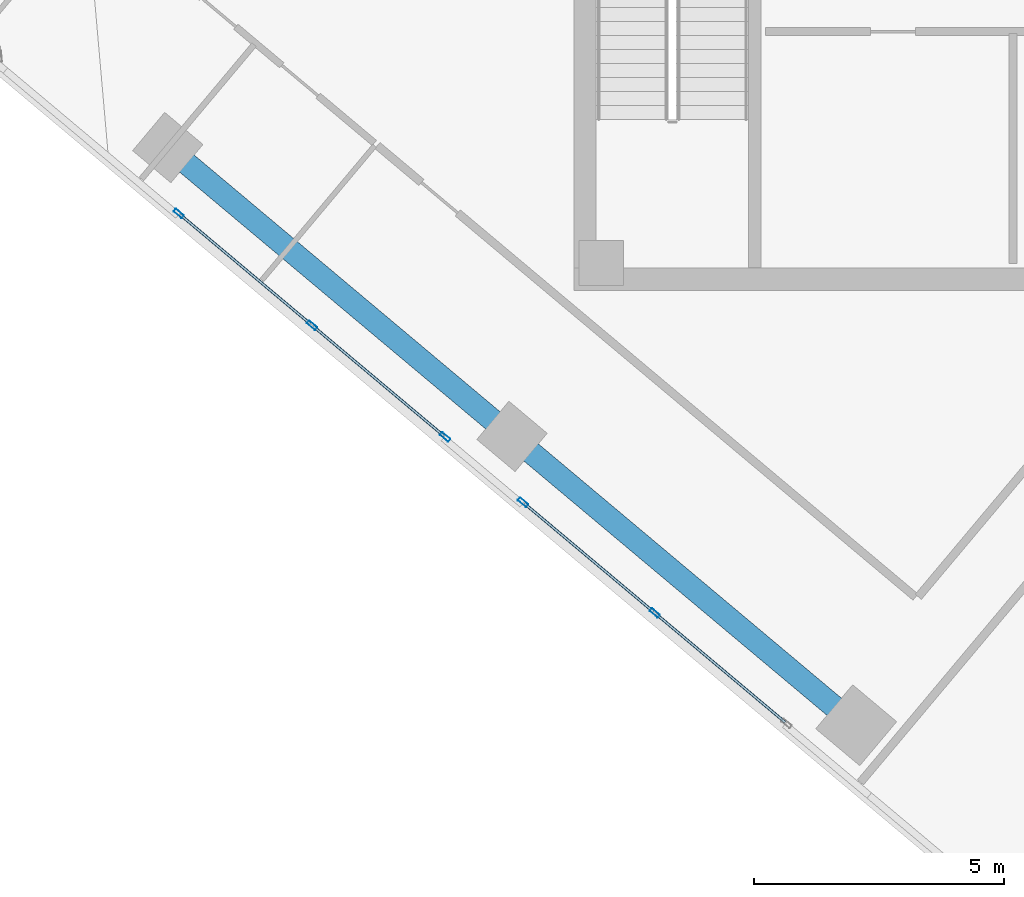
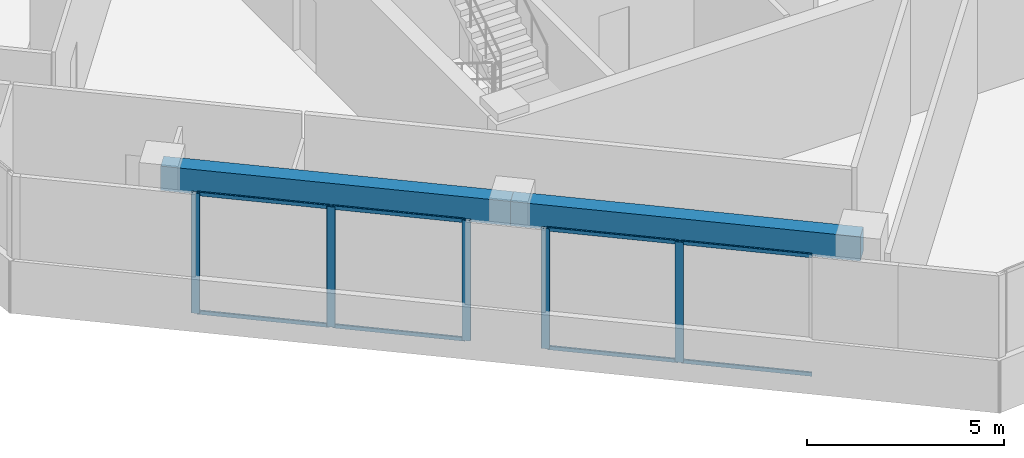
# One storey, part 2 of 17: 13 members, 2 beams, 2 elements without a shape of their own.
"""IFC4 building model written with IfcOpenShell, lengths in metres."""

from ifc_helpers import new_model, si_unit, direction, frame, origin, origin_2d, place, context, subcontext, project, spatial, rectangle, hollow_rectangle, extrude, source, transform, mapped, material, material_profile, profile_set, type_object, element, aggregate, save


model = new_model("IFC4")

# Units and contexts
model_context = context("Model", 3, precision=1e-05, world=origin(), true_north=direction((0.0, 1.0)))
body_context = subcontext(model_context, "Body", "Model", "MODEL_VIEW")
ifc_project = project(units=[si_unit("LENGTHUNIT", "METRE"), si_unit("AREAUNIT", "SQUARE_METRE"), si_unit("VOLUMEUNIT", "CUBIC_METRE"), si_unit("PLANEANGLEUNIT", "RADIAN"), si_unit("MASSUNIT", "GRAM", prefix="KILO")], contexts=[model_context])

# Site, building, storey
site_placement = place(None, origin())
site = spatial("IfcSite", under=ifc_project, at=site_placement, CompositionType="ELEMENT")
building_placement = place(site_placement, origin())
building = spatial("IfcBuilding", under=site, at=building_placement, Name="Torre Montelarca", CompositionType="ELEMENT")
storey_placement = place(building_placement, frame((0.0, 0.0, 220.60009765625)))
storey = spatial("IfcBuildingStorey", under=building, at=storey_placement, Name="L49", CompositionType="ELEMENT", Elevation=220.60009765625)

# Beams
ifc_material_1 = material(Name="Concrete C55/67", Category="concrete")
ifc_material_profile_1 = material_profile(ifc_material_1, rectangle(XDim=0.449951171875, YDim=0.75, at=origin_2d()), Name="RCB450X750", Category="concrete")
ifc_profile_set_1 = profile_set([ifc_material_profile_1], Name="Concrete C55/67")
beam_type = type_object("IfcBeamType", Name="BM-SP-RC750-EXT", PredefinedType="SPANDREL", material=ifc_profile_set_1)
shared_shape_1 = source(origin(), body_context, "Body", "SweptSolid", [
    extrude(rectangle(XDim=0.449951171875, YDim=0.75, at=origin_2d()), origin(), (0.0, 0.0, 1.0), 8.999755859375),
])
beam_1_placement = place(storey_placement, frame((7.762939453125, 21.07373046875, 3.5849609375), z_axis=(0.766048911017, -0.642782285015, 0.0), x_axis=(0.642782285015, 0.766048911017, 0.0)))
element("IfcBeam", 1, at=beam_1_placement, inside=storey, type_object=beam_type, Name="L49 Grid Girder X 18.0-27.0 at Y=14.8", PredefinedType="SPANDREL", context=body_context, shape_type="MappedRepresentation", body=[
    mapped(shared_shape_1, transform((0.0, 0.0, 0.0), scale=1.0)),
])
shared_shape_2 = source(origin(), body_context, "Body", "SweptSolid", [
    extrude(rectangle(XDim=0.449951171875, YDim=0.75, at=origin_2d()), origin(), (0.0, 0.0, 1.0), 9.000244140625),
])
beam_2_placement = place(storey_placement, frame((0.868408203125, 26.85888671875, 3.5849609375), z_axis=(0.766046761698, -0.642784846501, 0.0), x_axis=(0.642784846501, 0.766046761698, 0.0)))
element("IfcBeam", 2, at=beam_2_placement, inside=storey, type_object=beam_type, Name="L49 Grid Girder X 9.0-18.0 at Y=14.8", PredefinedType="SPANDREL", context=body_context, shape_type="MappedRepresentation", body=[
    mapped(shared_shape_2, transform((0.0, 0.0, 0.0), scale=1.0)),
])

# Curtain wall, members
ifc_material_2 = material(Name="Insulated low-E laminated glass", Category="glass")
curtain_wall_type = type_object("IfcCurtainWallType", Name="CW-SYS-Z3", PredefinedType="USERDEFINED", material=ifc_material_2)
curtain_wall_1_placement = place(storey_placement, origin())
curtain_wall_1 = element("IfcCurtainWall", 3, at=curtain_wall_1_placement, inside=storey, type_object=curtain_wall_type, Name="L49 Curtain Wall Run CW-T3-L49-E01-B1", ObjectType="UNITISED GLAZING", PredefinedType="USERDEFINED")
ifc_material_3 = material(Name="Anodised aluminium AA 6063-T6", Category="aluminium")
ifc_material_profile_2 = material_profile(ifc_material_3, hollow_rectangle(XDim=0.054931640625, YDim=0.1201171875, WallThickness=0.00341796875, InnerFilletRadius=0.00341796875, OuterFilletRadius=0.007080078125, at=origin_2d()), Name="ALU55X120X3.5", Category="aluminium")
ifc_profile_set_2 = profile_set([ifc_material_profile_2], Name="Anodised aluminium AA 6063-T6")
member_type_1 = type_object("IfcMemberType", Name="CWT-ALU120", PredefinedType="USERDEFINED", material=ifc_profile_set_2)
shared_shape_3 = source(origin(), body_context, "Body", "SweptSolid", [
    extrude(hollow_rectangle(XDim=0.054931640625, YDim=0.1201171875, WallThickness=0.00341796875, InnerFilletRadius=0.00341796875, OuterFilletRadius=0.007080078125, at=origin_2d()), origin(), (0.0, 0.0, 1.0), 3.40771484375),
])
member_1_placement = place(storey_placement, frame((1.117431640625, 25.514404296875, 0.02734375), z_axis=(0.766032210407, -0.642802187783, 0.0), x_axis=(0.642802187783, 0.766032210407, 0.0)))
member_1 = element("IfcMember", 4, at=member_1_placement, type_object=member_type_1, Name="CW transom 1.1", ObjectType="TRANSOM", PredefinedType="USERDEFINED", context=body_context, shape_type="MappedRepresentation", body=[
    mapped(shared_shape_3, transform((0.0, 0.0, 0.0), scale=1.0)),
])
member_2_placement = place(storey_placement, frame((1.117431640625, 25.514404296875, 3.6923828125), z_axis=(0.766032210407, -0.642802187783, 0.0), x_axis=(0.642802187783, 0.766032210407, 0.0)))
member_2 = element("IfcMember", 5, at=member_2_placement, type_object=member_type_1, Name="CW transom 1.2", ObjectType="TRANSOM", PredefinedType="USERDEFINED", context=body_context, shape_type="MappedRepresentation", body=[
    mapped(shared_shape_3, transform((0.0, 0.0, 0.0), scale=1.0)),
])
member_3_placement = place(storey_placement, frame((3.78515625, 23.27587890625, 0.02734375), z_axis=(0.766032210407, -0.642802187783, 0.0), x_axis=(0.642802187783, 0.766032210407, 0.0)))
member_3 = element("IfcMember", 6, at=member_3_placement, type_object=member_type_1, Name="CW transom 2.1", ObjectType="TRANSOM", PredefinedType="USERDEFINED", context=body_context, shape_type="MappedRepresentation", body=[
    mapped(shared_shape_3, transform((0.0, 0.0, 0.0), scale=1.0)),
])
member_4_placement = place(storey_placement, frame((3.78515625, 23.27587890625, 3.6923828125), z_axis=(0.766032210407, -0.642802187783, 0.0), x_axis=(0.642802187783, 0.766032210407, 0.0)))
member_4 = element("IfcMember", 7, at=member_4_placement, type_object=member_type_1, Name="CW transom 2.2", ObjectType="TRANSOM", PredefinedType="USERDEFINED", context=body_context, shape_type="MappedRepresentation", body=[
    mapped(shared_shape_3, transform((0.0, 0.0, 0.0), scale=1.0)),
])

curtain_wall_2_placement = place(storey_placement, origin())
curtain_wall_2 = element("IfcCurtainWall", 8, at=curtain_wall_2_placement, inside=storey, type_object=curtain_wall_type, Name="L49 Curtain Wall Run CW-T3-L49-E01-B2", ObjectType="UNITISED GLAZING", PredefinedType="USERDEFINED")
shared_shape_4 = source(origin(), body_context, "Body", "SweptSolid", [
    extrude(hollow_rectangle(XDim=0.054931640625, YDim=0.1201171875, WallThickness=0.00341796875, InnerFilletRadius=0.00341796875, OuterFilletRadius=0.007080078125, at=origin_2d()), origin(), (0.0, 0.0, 1.0), 3.3701171875),
])
member_5_placement = place(storey_placement, frame((8.011962890625, 19.729248046875, 0.02734375), z_axis=(0.766031583171, -0.642802935264, 0.0), x_axis=(0.642802935264, 0.766031583171, 0.0)))
member_5 = element("IfcMember", 9, at=member_5_placement, type_object=member_type_1, Name="CW transom 1.1", ObjectType="TRANSOM", PredefinedType="USERDEFINED", context=body_context, shape_type="MappedRepresentation", body=[
    mapped(shared_shape_4, transform((0.0, 0.0, 0.0), scale=1.0)),
])
member_6_placement = place(storey_placement, frame((8.011962890625, 19.729248046875, 3.6923828125), z_axis=(0.766031583171, -0.642802935264, 0.0), x_axis=(0.642802935264, 0.766031583171, 0.0)))
member_6 = element("IfcMember", 10, at=member_6_placement, type_object=member_type_1, Name="CW transom 1.2", ObjectType="TRANSOM", PredefinedType="USERDEFINED", context=body_context, shape_type="MappedRepresentation", body=[
    mapped(shared_shape_4, transform((0.0, 0.0, 0.0), scale=1.0)),
])
member_7_placement = place(storey_placement, frame((10.65087890625, 17.514892578125, 0.02734375), z_axis=(0.766031583171, -0.642802935264, 0.0), x_axis=(0.642802935264, 0.766031583171, 0.0)))
member_7 = element("IfcMember", 11, at=member_7_placement, type_object=member_type_1, Name="CW transom 2.1", ObjectType="TRANSOM", PredefinedType="USERDEFINED", context=body_context, shape_type="MappedRepresentation", body=[
    mapped(shared_shape_4, transform((0.0, 0.0, 0.0), scale=1.0)),
])
member_8_placement = place(storey_placement, frame((10.65087890625, 17.514892578125, 3.6923828125), z_axis=(0.766031583171, -0.642802935264, 0.0), x_axis=(0.642802935264, 0.766031583171, 0.0)))
member_8 = element("IfcMember", 12, at=member_8_placement, type_object=member_type_1, Name="CW transom 2.2", ObjectType="TRANSOM", PredefinedType="USERDEFINED", context=body_context, shape_type="MappedRepresentation", body=[
    mapped(shared_shape_4, transform((0.0, 0.0, 0.0), scale=1.0)),
])

# Member
ifc_material_profile_3 = material_profile(ifc_material_3, hollow_rectangle(XDim=0.074951171875, YDim=0.219970703125, WallThickness=0.0048828125, InnerFilletRadius=0.0048828125, OuterFilletRadius=0.010009765625, at=origin_2d()), Name="ALU75X220X5", Category="aluminium")
ifc_profile_set_3 = profile_set([ifc_material_profile_3], Name="Anodised aluminium AA 6063-T6")
member_type_2 = type_object("IfcMemberType", Name="CWM-ALU220", PredefinedType="MULLION", material=ifc_profile_set_3)
shared_shape_5 = source(origin(), body_context, "Body", "SweptSolid", [
    extrude(hollow_rectangle(XDim=0.074951171875, YDim=0.219970703125, WallThickness=0.0048828125, InnerFilletRadius=0.0048828125, OuterFilletRadius=0.010009765625, at=origin_2d()), origin(), (0.0, 0.0, 1.0), 3.719970703125),
])
member_9_placement = place(storey_placement, frame((1.088623046875, 25.538330078125, 0.0), z_axis=(0.0, 0.0, 1.0), x_axis=(0.642789243392, 0.766043072274, 0.0)))
member_9 = element("IfcMember", 13, at=member_9_placement, type_object=member_type_2, Name="CW mullion 1", PredefinedType="MULLION", context=body_context, shape_type="MappedRepresentation", body=[
    mapped(shared_shape_5, transform((0.0, 0.0, 0.0), scale=1.0)),
])

member_10_placement = place(storey_placement, frame((3.75634765625, 23.2998046875, 0.0), z_axis=(0.0, 0.0, 1.0), x_axis=(0.642789243392, 0.766043072274, 0.0)))
member_10 = element("IfcMember", 14, at=member_10_placement, type_object=member_type_2, Name="CW mullion 2", PredefinedType="MULLION", context=body_context, shape_type="MappedRepresentation", body=[
    mapped(shared_shape_5, transform((0.0, 0.0, 0.0), scale=1.0)),
])

member_11_placement = place(storey_placement, frame((6.424072265625, 21.0615234375, 0.0), z_axis=(0.0, 0.0, 1.0), x_axis=(0.642789243392, 0.766043072274, 0.0)))
member_11 = element("IfcMember", 15, at=member_11_placement, type_object=member_type_2, Name="CW mullion 3", PredefinedType="MULLION", context=body_context, shape_type="MappedRepresentation", body=[
    mapped(shared_shape_5, transform((0.0, 0.0, 0.0), scale=1.0)),
])

aggregate(curtain_wall_1, [member_9, member_10, member_11, member_1, member_2, member_3, member_4])

member_12_placement = place(storey_placement, frame((7.983154296875, 19.753173828125, 0.0), z_axis=(0.0, 0.0, 1.0), x_axis=(0.642786254716, 0.766045580072, 0.0)))
member_12 = element("IfcMember", 16, at=member_12_placement, type_object=member_type_2, Name="CW mullion 1", PredefinedType="MULLION", context=body_context, shape_type="MappedRepresentation", body=[
    mapped(shared_shape_5, transform((0.0, 0.0, 0.0), scale=1.0)),
])

member_13_placement = place(storey_placement, frame((10.6220703125, 17.538818359375, 0.0), z_axis=(0.0, 0.0, 1.0), x_axis=(0.642786254716, 0.766045580072, 0.0)))
member_13 = element("IfcMember", 17, at=member_13_placement, type_object=member_type_2, Name="CW mullion 2", PredefinedType="MULLION", context=body_context, shape_type="MappedRepresentation", body=[
    mapped(shared_shape_5, transform((0.0, 0.0, 0.0), scale=1.0)),
])

aggregate(curtain_wall_2, [member_12, member_13, member_5, member_6, member_7, member_8])

save(model, "model.ifc")
